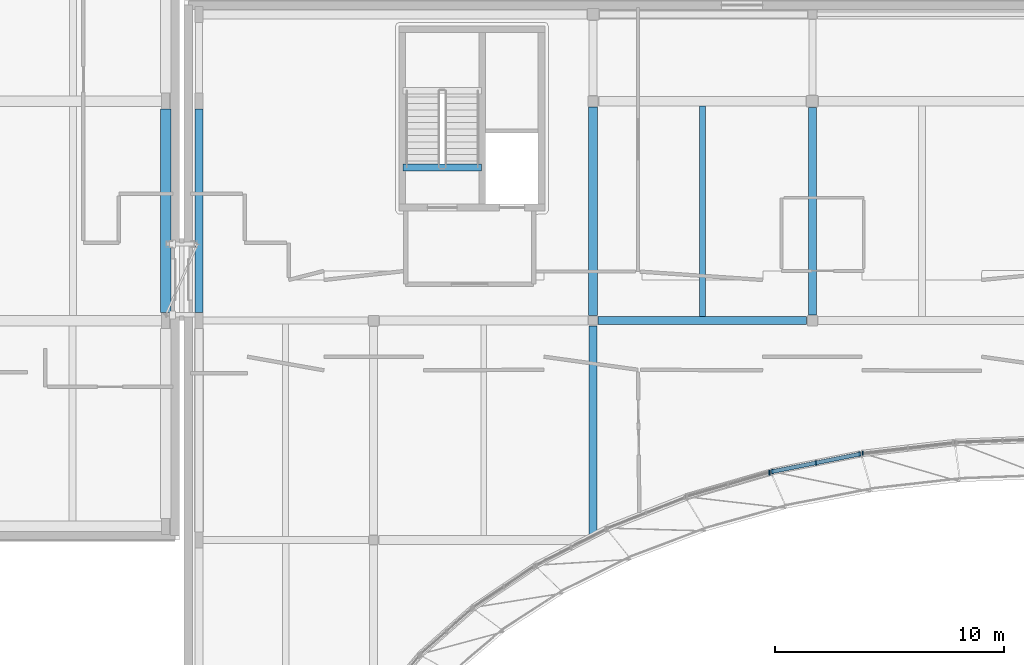
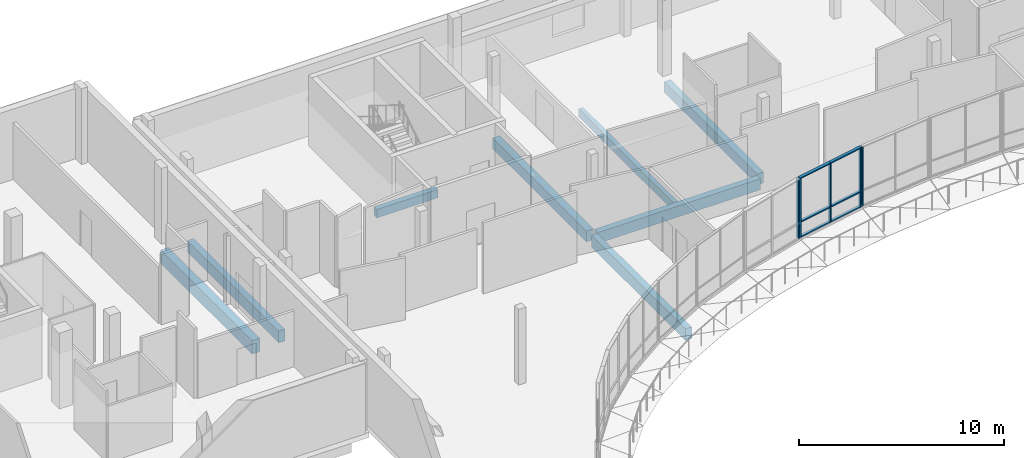
# One storey, part 11 of 41: 11 members, 8 beams, 3 elements without a shape of their own.
"""IFC4 building model written with IfcOpenShell, lengths in metres."""

from ifc_helpers import new_model, si_unit, direction, frame, origin, origin_2d, place, context, subcontext, project, spatial, rectangle, extrude, material, material_profile, profile_set, type_object, element, aggregate, save


model = new_model("IFC4")

# Units and contexts
model_context = context("Model", 3, precision=1e-05, world=origin(), true_north=direction((0.0, 1.0)))
body_context = subcontext(model_context, "Body", "Model", "MODEL_VIEW")
ifc_project = project(units=[si_unit("LENGTHUNIT", "METRE"), si_unit("AREAUNIT", "SQUARE_METRE"), si_unit("VOLUMEUNIT", "CUBIC_METRE"), si_unit("PLANEANGLEUNIT", "RADIAN"), si_unit("MASSUNIT", "GRAM", prefix="KILO")], contexts=[model_context])

# Site, building, storey
site_placement = place(None, origin())
site = spatial("IfcSite", under=ifc_project, at=site_placement, CompositionType="ELEMENT")
building_placement = place(site_placement, origin())
building = spatial("IfcBuilding", under=site, at=building_placement, Name="Mzevani Central Library", CompositionType="ELEMENT")
storey_placement = place(building_placement, frame((0.0, 0.0, 13.800048828125)))
storey = spatial("IfcBuildingStorey", under=building, at=storey_placement, Name="L03", CompositionType="ELEMENT", Elevation=13.800048828125)

# Beams
ifc_material_1 = material(Name="Concrete C35/45", Category="concrete")
ifc_material_profile_1 = material_profile(ifc_material_1, rectangle(XDim=0.300048828125, YDim=0.5, at=origin_2d()), Name="RC B300x500")
ifc_profile_set_1 = profile_set([ifc_material_profile_1], Name="Concrete C35/45")
beam_type_1 = type_object("IfcBeamType", Name="Beam RC 300x500", PredefinedType="BEAM", material=ifc_profile_set_1)
beam_1_placement = place(storey_placement, frame((55.679931640625, 106.699951171875, -0.25), z_axis=(1.0, 0.0, 0.0), x_axis=(0.0, 1.0, 0.0)))
element("IfcBeam", 1, at=beam_1_placement, inside=storey, type_object=beam_type_1, Name="L03 Core C3A North-East Firefighting Core Stair Opening Trimmer Beam", PredefinedType="BEAM", context=body_context, shape_type="SweptSolid", body=[
    extrude(rectangle(XDim=0.300048828125, YDim=0.5, at=origin_2d()), origin(), (0.0, 0.0, 1.0), 3.440185546875),
])
ifc_material_profile_2 = material_profile(ifc_material_1, rectangle(XDim=0.35009765625, YDim=0.64990234375, at=origin_2d()), Name="RC B350x650")
ifc_profile_set_2 = profile_set([ifc_material_profile_2], Name="Concrete C35/45")
beam_type_2 = type_object("IfcBeamType", Name="Beam RC 350x650", PredefinedType="BEAM", material=ifc_profile_set_2)
beam_2_placement = place(storey_placement, frame((64.22509765625, 100.0, -0.60498046875), z_axis=(1.0, 0.0, 0.0), x_axis=(0.0, 1.0, 0.0)))
element("IfcBeam", 2, at=beam_2_placement, inside=storey, type_object=beam_type_2, Name="L03 V3 Girder B-05 (640)", PredefinedType="BEAM", context=body_context, shape_type="SweptSolid", body=[
    extrude(rectangle(XDim=0.35009765625, YDim=0.64990234375, at=origin_2d()), origin(), (0.0, 0.0, 1.0), 9.125),
])
beam_3_placement = place(storey_placement, frame((73.60009765625, 100.25, -0.60498046875), z_axis=(0.0, 1.0, 0.0), x_axis=(-1.0, 0.0, 0.0)))
element("IfcBeam", 3, at=beam_3_placement, inside=storey, type_object=beam_type_2, Name="L03 V3 Frame Beam B-05 (672)", PredefinedType="BEAM", context=body_context, shape_type="SweptSolid", body=[
    extrude(rectangle(XDim=0.35009765625, YDim=0.64990234375, at=origin_2d()), origin(), (0.0, 0.0, 1.0), 9.074951171875),
])
ifc_material_profile_3 = material_profile(ifc_material_1, rectangle(XDim=0.35009765625, YDim=0.699951171875, at=origin_2d()), Name="RC B350x700")
ifc_profile_set_3 = profile_set([ifc_material_profile_3], Name="Concrete C35/45")
beam_type_3 = type_object("IfcBeamType", Name="Beam RC 350x700", PredefinedType="BEAM", material=ifc_profile_set_3)
beam_4_placement = place(storey_placement, frame((46.75, 100.35009765625, -0.630126953125), z_axis=(0.0, 1.0, 0.0), x_axis=(-1.0, 0.0, 0.0)))
element("IfcBeam", 4, at=beam_4_placement, inside=storey, type_object=beam_type_3, Name="L03 V3 Frame Beam B-06 (665)", PredefinedType="BEAM", context=body_context, shape_type="SweptSolid", body=[
    extrude(rectangle(XDim=0.35009765625, YDim=0.699951171875, at=origin_2d()), origin(), (0.0, 0.0, 1.0), 8.89990234375),
])
beam_5_placement = place(storey_placement, frame((64.0, 90.625, -0.630126953125), z_axis=(0.0, 1.0, 0.0), x_axis=(-1.0, 0.0, 0.0)))
element("IfcBeam", 5, at=beam_5_placement, inside=storey, type_object=beam_type_3, Name="L03 V3 Frame Beam B-06 (669)", PredefinedType="BEAM", context=body_context, shape_type="SweptSolid", body=[
    extrude(rectangle(XDim=0.35009765625, YDim=0.699951171875, at=origin_2d()), origin(), (0.0, 0.0, 1.0), 9.14990234375),
])
ifc_material_profile_4 = material_profile(ifc_material_1, rectangle(XDim=0.39990234375, YDim=0.64990234375, at=origin_2d()), Name="RC B400x650")
ifc_profile_set_4 = profile_set([ifc_material_profile_4], Name="Concrete C35/45")
beam_type_4 = type_object("IfcBeamType", Name="Beam RC 400x650", PredefinedType="BEAM", material=ifc_profile_set_4)
beam_6_placement = place(storey_placement, frame((64.0, 100.22509765625, -0.60498046875), z_axis=(0.0, 1.0, 0.0), x_axis=(-1.0, 0.0, 0.0)))
element("IfcBeam", 6, at=beam_6_placement, inside=storey, type_object=beam_type_4, Name="L03 V3 Frame Beam B-07 (670)", PredefinedType="BEAM", context=body_context, shape_type="SweptSolid", body=[
    extrude(rectangle(XDim=0.39990234375, YDim=0.64990234375, at=origin_2d()), origin(), (0.0, 0.0, 1.0), 9.125),
])

# Curtain wall, member
ifc_material_2 = material(Name="Thermally broken aluminium and Low-E triple glazing", Category="aluminium")
curtain_wall_type_1 = type_object("IfcCurtainWallType", Name="Elliptical Court Unitised Curtain Wall", PredefinedType="NOTDEFINED", material=ifc_material_2)
curtain_wall_1_placement = place(storey_placement, origin())
curtain_wall_1 = element("IfcCurtainWall", 7, at=curtain_wall_1_placement, inside=storey, type_object=curtain_wall_type_1, Name="L03 Elliptical Court Curtain Wall 14", PredefinedType="NOTDEFINED")
ifc_material_3 = material(Name="Thermally broken aluminium AW-6060", Category="aluminium")
ifc_material_profile_5 = material_profile(ifc_material_3, rectangle(XDim=0.06005859375, YDim=0.179931640625, at=origin_2d()), Name="ALU M60x180")
ifc_profile_set_5 = profile_set([ifc_material_profile_5], Name="Thermally broken aluminium AW-6060")
member_type_1 = type_object("IfcMemberType", Name="CW Mullion 60x180", PredefinedType="MULLION", material=ifc_profile_set_5)
member_1_placement = place(storey_placement, frame((75.800537109375, 94.1923828125, 0.719970703125), z_axis=(0.0, 0.0, 1.0), x_axis=(1.0, 0.0, 0.0)))
member_1 = element("IfcMember", 8, at=member_1_placement, type_object=member_type_1, Name="L03 Elliptical Court Curtain Wall 14 Mullion 3", PredefinedType="MULLION", context=body_context, shape_type="SweptSolid", body=[
    extrude(rectangle(XDim=0.06005859375, YDim=0.179931640625, at=origin_2d()), origin(), (0.0, 0.0, 1.0), 3.5),
])
aggregate(curtain_wall_1, [member_1])

# Curtain wall, members
curtain_wall_2_placement = place(storey_placement, origin())
curtain_wall_2 = element("IfcCurtainWall", 9, at=curtain_wall_2_placement, inside=storey, type_object=curtain_wall_type_1, Name="L03 Elliptical Court Curtain Wall 15", PredefinedType="NOTDEFINED")
ifc_material_profile_6 = material_profile(ifc_material_3, rectangle(XDim=0.06494140625, YDim=0.199951171875, at=origin_2d()), Name="ALU M65x200")
ifc_profile_set_6 = profile_set([ifc_material_profile_6], Name="Thermally broken aluminium AW-6060")
member_type_2 = type_object("IfcMemberType", Name="CW Mullion 65x200", PredefinedType="MULLION", material=ifc_profile_set_6)
member_2_placement = place(storey_placement, frame((75.662353515625, 94.158935546875, 0.719970703125), z_axis=(0.0, 0.0, 1.0), x_axis=(1.0, 0.0, 0.0)))
member_2 = element("IfcMember", 10, at=member_2_placement, type_object=member_type_2, Name="L03 Elliptical Court Curtain Wall 15 Mullion 1", PredefinedType="MULLION", context=body_context, shape_type="SweptSolid", body=[
    extrude(rectangle(XDim=0.06494140625, YDim=0.199951171875, at=origin_2d()), origin(), (0.0, 0.0, 1.0), 3.5),
])
member_3_placement = place(storey_placement, frame((73.75439453125, 93.77734375, 0.719970703125), z_axis=(0.0, 0.0, 1.0), x_axis=(1.0, 0.0, 0.0)))
member_3 = element("IfcMember", 11, at=member_3_placement, type_object=member_type_2, Name="L03 Elliptical Court Curtain Wall 15 Mullion 2", PredefinedType="MULLION", context=body_context, shape_type="SweptSolid", body=[
    extrude(rectangle(XDim=0.06494140625, YDim=0.199951171875, at=origin_2d()), origin(), (0.0, 0.0, 1.0), 3.5),
])
member_4_placement = place(storey_placement, frame((71.846435546875, 93.39599609375, 0.719970703125), z_axis=(0.0, 0.0, 1.0), x_axis=(1.0, 0.0, 0.0)))
member_4 = element("IfcMember", 12, at=member_4_placement, type_object=member_type_2, Name="L03 Elliptical Court Curtain Wall 15 Mullion 3", PredefinedType="MULLION", context=body_context, shape_type="SweptSolid", body=[
    extrude(rectangle(XDim=0.06494140625, YDim=0.199951171875, at=origin_2d()), origin(), (0.0, 0.0, 1.0), 3.5),
])

# Curtain wall, member
curtain_wall_type_2 = type_object("IfcCurtainWallType", Name="Reading Hall Northlight Curtain Wall", PredefinedType="NOTDEFINED", material=ifc_material_2)
curtain_wall_3_placement = place(storey_placement, origin())
curtain_wall_3 = element("IfcCurtainWall", 13, at=curtain_wall_3_placement, inside=storey, type_object=curtain_wall_type_2, Name="L03 Elliptical Court Curtain Wall 16", PredefinedType="NOTDEFINED")
ifc_material_profile_7 = material_profile(ifc_material_3, rectangle(XDim=0.070068359375, YDim=0.219970703125, at=origin_2d()), Name="ALU M70x220")
ifc_profile_set_7 = profile_set([ifc_material_profile_7], Name="Thermally broken aluminium AW-6060")
member_type_3 = type_object("IfcMemberType", Name="CW Mullion 70x220", PredefinedType="MULLION", material=ifc_profile_set_7)
member_5_placement = place(storey_placement, frame((71.718017578125, 93.350341796875, 0.719970703125), z_axis=(0.0, 0.0, 1.0), x_axis=(1.0, 0.0, 0.0)))
member_5 = element("IfcMember", 14, at=member_5_placement, type_object=member_type_3, Name="L03 Elliptical Court Curtain Wall 16 Mullion 1", PredefinedType="MULLION", context=body_context, shape_type="SweptSolid", body=[
    extrude(rectangle(XDim=0.070068359375, YDim=0.219970703125, at=origin_2d()), origin(), (0.0, 0.0, 1.0), 3.5),
])
aggregate(curtain_wall_3, [member_5])

# Member
ifc_material_profile_8 = material_profile(ifc_material_3, rectangle(XDim=0.169921875, YDim=0.06494140625, at=origin_2d()), Name="ALU T65x170")
ifc_profile_set_8 = profile_set([ifc_material_profile_8], Name="Thermally broken aluminium AW-6060")
member_type_4 = type_object("IfcMemberType", Name="CW Transom 65x170", PredefinedType="USERDEFINED", material=ifc_profile_set_8)
member_6_placement = place(storey_placement, frame((75.71142578125, 94.168701171875, 0.719970703125), z_axis=(-0.980585380352, -0.196092610367, 0.0), x_axis=(0.196092610367, -0.980585380352, 0.0)))
member_6 = element("IfcMember", 15, at=member_6_placement, type_object=member_type_4, Name="L03 Elliptical Court Curtain Wall 15 Transom 1", ObjectType="TRANSOM", PredefinedType="USERDEFINED", context=body_context, shape_type="SweptSolid", body=[
    extrude(rectangle(XDim=0.169921875, YDim=0.06494140625, at=origin_2d()), origin(), (0.0, 0.0, 1.0), 1.995849609375),
])

member_7_placement = place(storey_placement, frame((75.71142578125, 94.168701171875, 1.619873046875), z_axis=(-0.980585380352, -0.196092610367, 0.0), x_axis=(0.196092610367, -0.980585380352, 0.0)))
member_7 = element("IfcMember", 16, at=member_7_placement, type_object=member_type_4, Name="L03 Elliptical Court Curtain Wall 15 Transom 2", ObjectType="TRANSOM", PredefinedType="USERDEFINED", context=body_context, shape_type="SweptSolid", body=[
    extrude(rectangle(XDim=0.169921875, YDim=0.06494140625, at=origin_2d()), origin(), (0.0, 0.0, 1.0), 1.995849609375),
])

member_8_placement = place(storey_placement, frame((75.71142578125, 94.168701171875, 4.219970703125), z_axis=(-0.980585380352, -0.196092610367, 0.0), x_axis=(0.196092610367, -0.980585380352, 0.0)))
member_8 = element("IfcMember", 17, at=member_8_placement, type_object=member_type_4, Name="L03 Elliptical Court Curtain Wall 15 Transom 3", ObjectType="TRANSOM", PredefinedType="USERDEFINED", context=body_context, shape_type="SweptSolid", body=[
    extrude(rectangle(XDim=0.169921875, YDim=0.06494140625, at=origin_2d()), origin(), (0.0, 0.0, 1.0), 1.995849609375),
])

member_9_placement = place(storey_placement, frame((73.75439453125, 93.77734375, 0.719970703125), z_axis=(-0.980585380352, -0.196092610367, 0.0), x_axis=(0.196092610367, -0.980585380352, 0.0)))
member_9 = element("IfcMember", 18, at=member_9_placement, type_object=member_type_4, Name="L03 Elliptical Court Curtain Wall 15 Transom 4", ObjectType="TRANSOM", PredefinedType="USERDEFINED", context=body_context, shape_type="SweptSolid", body=[
    extrude(rectangle(XDim=0.169921875, YDim=0.06494140625, at=origin_2d()), origin(), (0.0, 0.0, 1.0), 1.995849609375),
])

member_10_placement = place(storey_placement, frame((73.75439453125, 93.77734375, 1.619873046875), z_axis=(-0.980585380352, -0.196092610367, 0.0), x_axis=(0.196092610367, -0.980585380352, 0.0)))
member_10 = element("IfcMember", 19, at=member_10_placement, type_object=member_type_4, Name="L03 Elliptical Court Curtain Wall 15 Transom 5", ObjectType="TRANSOM", PredefinedType="USERDEFINED", context=body_context, shape_type="SweptSolid", body=[
    extrude(rectangle(XDim=0.169921875, YDim=0.06494140625, at=origin_2d()), origin(), (0.0, 0.0, 1.0), 1.995849609375),
])

member_11_placement = place(storey_placement, frame((73.75439453125, 93.77734375, 4.219970703125), z_axis=(-0.980585380352, -0.196092610367, 0.0), x_axis=(0.196092610367, -0.980585380352, 0.0)))
member_11 = element("IfcMember", 20, at=member_11_placement, type_object=member_type_4, Name="L03 Elliptical Court Curtain Wall 15 Transom 6", ObjectType="TRANSOM", PredefinedType="USERDEFINED", context=body_context, shape_type="SweptSolid", body=[
    extrude(rectangle(XDim=0.169921875, YDim=0.06494140625, at=origin_2d()), origin(), (0.0, 0.0, 1.0), 1.995849609375),
])

aggregate(curtain_wall_2, [member_2, member_3, member_4, member_6, member_7, member_8, member_9, member_10, member_11])

# Beams
ifc_material_profile_9 = material_profile(ifc_material_1, rectangle(XDim=0.25, YDim=0.5, at=origin_2d()), Name="RC J250x500")
ifc_profile_set_9 = profile_set([ifc_material_profile_9], Name="Concrete C35/45")
beam_type_5 = type_object("IfcBeamType", Name="Floor Joist RC 250x500", PredefinedType="JOIST", material=ifc_profile_set_9)
beam_7_placement = place(storey_placement, frame((68.78759765625, 100.175048828125, -0.530029296875), z_axis=(0.0, 1.0, 0.0), x_axis=(-1.0, 0.0, 0.0)))
element("IfcBeam", 21, at=beam_7_placement, inside=storey, type_object=beam_type_5, Name="L03 V3 Floor Joist BJ-02 (697)", PredefinedType="JOIST", context=body_context, shape_type="SweptSolid", body=[
    extrude(rectangle(XDim=0.25, YDim=0.5, at=origin_2d()), origin(), (0.0, 0.0, 1.0), 9.224853515625),
])
ifc_material_4 = material(Name="Concrete C40/50", Category="concrete")
ifc_material_profile_10 = material_profile(ifc_material_4, rectangle(XDim=0.449951171875, YDim=0.800048828125, at=origin_2d()), Name="RC B450x800")
ifc_profile_set_10 = profile_set([ifc_material_profile_10], Name="Concrete C40/50")
beam_type_6 = type_object("IfcBeamType", Name="Stack Girder RC 450x800", PredefinedType="BEAM", material=ifc_profile_set_10)
beam_8_placement = place(storey_placement, frame((45.300048828125, 100.35009765625, -0.719970703125), z_axis=(0.0, 1.0, 0.0), x_axis=(-1.0, 0.0, 0.0)))
element("IfcBeam", 22, at=beam_8_placement, inside=storey, type_object=beam_type_6, Name="L03 V2 Frame Beam BG-03 (366)", PredefinedType="BEAM", context=body_context, shape_type="SweptSolid", body=[
    extrude(rectangle(XDim=0.449951171875, YDim=0.800048828125, at=origin_2d()), origin(), (0.0, 0.0, 1.0), 8.89990234375),
])

save(model, "model.ifc")
